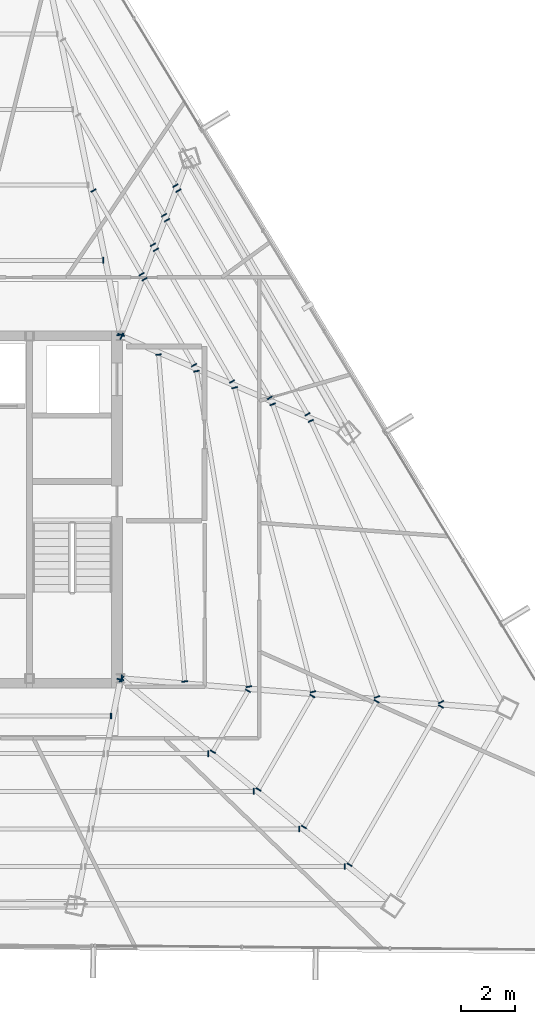
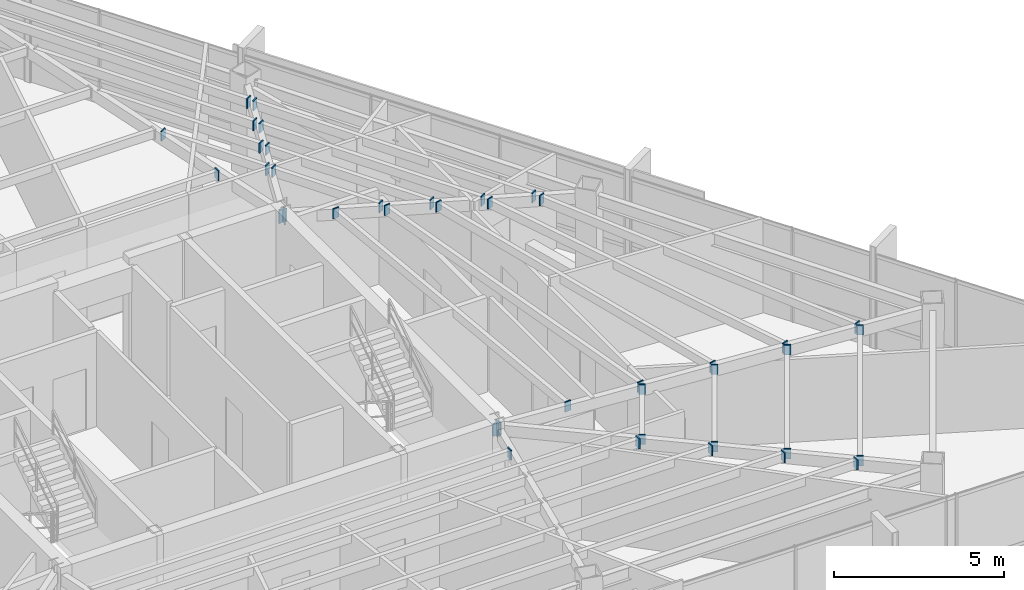
# One storey, part 38 of 45: 43 plates.
"""IFC4 building model written with IfcOpenShell, lengths in metres."""

import ifcopenshell
import ifcopenshell.guid

model = None  # the IFC model being written
_history = None  # IfcOwnerHistory: only IFC2X3 demands one
_inside = {}  # id of a spatial element -> (the spatial element, [elements in it])
_under = {}  # id of a project, library or spatial element -> (it, [spatial elements below it])
_declared = {}  # id of a project -> (the project, [libraries it declares])
_typed = {}  # id of a type object -> (the type object, [elements of that type])
_made_of = {}  # id of a material, layer set ... -> (it, [elements and type objects made of it])


def new_model(schema):
    """Start an empty IFC model of exactly this schema.

    Asked for "IFC4X3", IfcOpenShell would pick the latest addendum, in which some entities
    have other attributes; the version numbers below select the first issue.
    IFC2X3 requires an IfcOwnerHistory on every rooted entity: one is made here for all.
    """
    global model, _history
    if schema == "IFC4X3":
        model = ifcopenshell.file(schema_version=(4, 3, 0, 0))
    else:
        model = ifcopenshell.file(schema=schema)
    _inside.clear()
    _under.clear()
    _declared.clear()
    _typed.clear()
    _made_of.clear()
    _history = None
    if model.schema == "IFC2X3":
        org = make("IfcOrganization", Name="unknown")
        user = make(
            "IfcPersonAndOrganization",
            ThePerson=make("IfcPerson", FamilyName="unknown"),
            TheOrganization=org,
        )
        app = make(
            "IfcApplication",
            ApplicationDeveloper=org,
            Version="unknown",
            ApplicationFullName="unknown",
            ApplicationIdentifier="unknown",
        )
        _history = make(
            "IfcOwnerHistory",
            OwningUser=user,
            OwningApplication=app,
            ChangeAction="ADDED",
            CreationDate=0,
        )
    return model


def make(cls, **values):
    """One entity of the class cls with the attributes given. An attribute that is None is left unset."""
    return model.create_entity(
        cls, **{name: value for name, value in values.items() if value is not None}
    )


def rooted(cls, **values):
    """An entity with a GlobalId (a new one), such as an element, a storey or a relation."""
    return make(cls, GlobalId=ifcopenshell.guid.new(), OwnerHistory=_history, **values)


def si_unit(unit_type, name, prefix=None):
    """IfcSIUnit, for example si_unit("LENGTHUNIT", "METRE", prefix="MILLI")."""
    return make("IfcSIUnit", UnitType=unit_type, Prefix=prefix, Name=name)


def assignment(units):
    """IfcUnitAssignment: the units of a project."""
    return None if units is None else make("IfcUnitAssignment", Units=units)


def point(xyz):
    """IfcCartesianPoint."""
    return None if xyz is None else make("IfcCartesianPoint", Coordinates=xyz)


def direction(xyz):
    """IfcDirection."""
    return None if xyz is None else make("IfcDirection", DirectionRatios=xyz)


def frame(location, z_axis=None, x_axis=None):
    """IfcAxis2Placement3D, a coordinate frame: its origin and axes. An axis left out is left unset."""
    return make(
        "IfcAxis2Placement3D",
        Location=point(location),
        Axis=direction(z_axis),
        RefDirection=direction(x_axis),
    )


def frame_2d(location, x_axis=None):
    """IfcAxis2Placement2D, a coordinate frame in the plane: its origin and x axis."""
    return make(
        "IfcAxis2Placement2D", Location=point(location), RefDirection=direction(x_axis)
    )


def origin():
    """The frame at (0, 0, 0) with its axes left unset."""
    return frame((0.0, 0.0, 0.0))


def origin_2d():
    """The frame at (0, 0) in the plane with its x axis left unset."""
    return frame_2d((0.0, 0.0))


def place(relative_to, where):
    """IfcLocalPlacement: puts the frame where relative to a parent placement (None: the world)."""
    return make(
        "IfcLocalPlacement", PlacementRelTo=relative_to, RelativePlacement=where
    )


def context(
    kind, dimensions, precision=None, world=None, true_north=None, identifier=None
):
    """IfcGeometricRepresentationContext, for example the 3D "Model" context."""
    return make(
        "IfcGeometricRepresentationContext",
        ContextIdentifier=identifier,
        ContextType=kind,
        CoordinateSpaceDimension=dimensions,
        Precision=precision,
        WorldCoordinateSystem=world,
        TrueNorth=true_north,
    )


def subcontext(parent, identifier, kind, view, scale=None):
    """IfcGeometricRepresentationSubContext, for example "Body" below "Model"."""
    return make(
        "IfcGeometricRepresentationSubContext",
        ContextIdentifier=identifier,
        ContextType=kind,
        ParentContext=parent,
        TargetScale=scale,
        TargetView=view,
    )


def project(units=None, contexts=None):
    """IfcProject with its units and contexts."""
    return rooted(
        "IfcProject",
        Name="project",
        RepresentationContexts=contexts,
        UnitsInContext=assignment(units),
    )


def spatial(cls, under=None, at=None, **own):
    """A site, building, storey or space (cls), placed at a placement, below another one or the project."""
    s = rooted(cls, ObjectPlacement=at, **own)
    if under is not None:
        _under.setdefault(under.id(), (under, []))[1].append(s)
    return s


def profile(cls, at=None, kind="AREA", **sizes):
    """A parametric profile (cls). Its sizes go by their IFC names, for example OverallWidth=200.0."""
    return make(cls, ProfileType=kind, Position=at, **sizes)


def rectangle(**sizes):
    """IfcRectangleProfileDef."""
    return profile("IfcRectangleProfileDef", **sizes)


def extrude(swept, where, along, depth):
    """IfcExtrudedAreaSolid: the profile swept, set in the frame where, extruded along a direction by depth."""
    return make(
        "IfcExtrudedAreaSolid",
        SweptArea=swept,
        Position=where,
        ExtrudedDirection=direction(along),
        Depth=depth,
    )


def shape(context_of_items, identifier, shape_type, items):
    """IfcShapeRepresentation: the items that make up one representation, for example the "Body"."""
    return make(
        "IfcShapeRepresentation",
        ContextOfItems=context_of_items,
        RepresentationIdentifier=identifier,
        RepresentationType=shape_type,
        Items=items,
    )


def source(mapping_origin, context_of_items, identifier, shape_type, items):
    """IfcRepresentationMap: a shape defined once, which mapped items show again and again."""
    return make(
        "IfcRepresentationMap",
        MappingOrigin=mapping_origin,
        MappedRepresentation=shape(context_of_items, identifier, shape_type, items),
    )


def transform(
    local_origin,
    x_axis=None,
    y_axis=None,
    z_axis=None,
    scale=None,
    scale2=None,
    scale3=None,
    uniform=True,
):
    """IfcCartesianTransformationOperator3D, or its non-uniform kind. x_axis, y_axis, z_axis: its Axis1, 2, 3."""
    if uniform:
        return make(
            "IfcCartesianTransformationOperator3D",
            Axis1=direction(x_axis),
            Axis2=direction(y_axis),
            LocalOrigin=point(local_origin),
            Scale=scale,
            Axis3=direction(z_axis),
        )
    return make(
        "IfcCartesianTransformationOperator3DnonUniform",
        Axis1=direction(x_axis),
        Axis2=direction(y_axis),
        LocalOrigin=point(local_origin),
        Scale=scale,
        Axis3=direction(z_axis),
        Scale2=scale2,
        Scale3=scale3,
    )


def mapped(mapping_source, mapping_target):
    """IfcMappedItem: shows the shape of a source again, moved by a transform."""
    return make(
        "IfcMappedItem", MappingSource=mapping_source, MappingTarget=mapping_target
    )


def material(Name=None, Category=None):
    """IfcMaterial."""
    return make("IfcMaterial", Name=Name, Category=Category)


def layer(
    of_material, thickness, ventilated=None, Name=None, Category=None, Priority=None
):
    """IfcMaterialLayer: one layer of a wall or slab, of a material (None: an air gap)."""
    return make(
        "IfcMaterialLayer",
        Material=of_material,
        LayerThickness=thickness,
        IsVentilated=ventilated,
        Name=Name,
        Category=Category,
        Priority=Priority,
    )


def layer_set(layers, Name=None):
    """IfcMaterialLayerSet."""
    return make("IfcMaterialLayerSet", MaterialLayers=layers, LayerSetName=Name)


def made_of(thing, what):
    """Note that an element or type object is made of a material, layer set ...; save() writes the relation."""
    if what is not None:
        _made_of.setdefault(what.id(), (what, []))[1].append(thing)
    return thing


def type_object(cls, material=None, **own):
    """A type object (cls), such as IfcWallType, which elements share."""
    return made_of(rooted(cls, **own), material)


def type_shapes(of_type, sources):
    """Give a type object the sources (RepresentationMaps) that its elements show as mapped items."""
    of_type.RepresentationMaps = sources


def element(
    cls,
    number,
    at=None,
    inside=None,
    cuts=None,
    type_object=None,
    material=None,
    context=None,
    identifier="Body",
    shape_type=None,
    held_by="IfcProductDefinitionShape",
    body=None,
    shapes=None,
    **own,
):
    """One element of the class cls, such as IfcWall. Its Tag is "e" and its number.

    at: its placement. inside: the storey or other place that contains it. cuts: it is an
    opening in that element (IfcRelVoidsElement). A single representation is given by context,
    identifier, shape_type and body (its items); several are given by shapes. held_by: the class
    of the entity that holds the representations. save() writes the other relations.
    """
    e = rooted(cls, Tag="e%d" % number, ObjectPlacement=at, **own)
    if body is not None:
        shapes = [shape(context, identifier, shape_type, body)]
    if shapes is not None:
        e.Representation = make(held_by, Representations=shapes)
    if inside is not None:
        _inside.setdefault(inside.id(), (inside, []))[1].append(e)
    if cuts is not None:
        rooted(
            "IfcRelVoidsElement", RelatingBuildingElement=cuts, RelatedOpeningElement=e
        )
    if type_object is not None:
        _typed.setdefault(type_object.id(), (type_object, []))[1].append(e)
    return made_of(e, material)


def aggregate(whole, parts):
    """IfcRelAggregates: a whole, such as a stair, and the parts it consists of."""
    return rooted("IfcRelAggregates", RelatingObject=whole, RelatedObjects=parts)


def save(model, path):
    """Write the relations noted so far, then the file.

    IfcRelAggregates (storeys below a building ...), IfcRelContainedInSpatialStructure (elements
    in a storey), IfcRelDefinesByType, IfcRelAssociatesMaterial and IfcRelDeclares: one each for
    every whole, place, type object, material and project.
    """
    for whole, parts in _under.values():
        aggregate(whole, parts)
    for where, things in _inside.values():
        rooted(
            "IfcRelContainedInSpatialStructure",
            RelatedElements=things,
            RelatingStructure=where,
        )
    for kind, things in _typed.values():
        rooted("IfcRelDefinesByType", RelatedObjects=things, RelatingType=kind)
    for what, things in _made_of.values():
        rooted("IfcRelAssociatesMaterial", RelatedObjects=things, RelatingMaterial=what)
    for by, libraries in _declared.values():
        rooted("IfcRelDeclares", RelatingContext=by, RelatedDefinitions=libraries)
    model.write(path)


model = new_model("IFC4")

# Units and contexts
model_context = context("Model", 3, precision=1e-05, world=origin(), true_north=direction((0.0, 1.0)))
body_context = subcontext(model_context, "Body", "Model", "MODEL_VIEW")
ifc_project = project(units=[si_unit("LENGTHUNIT", "METRE"), si_unit("AREAUNIT", "SQUARE_METRE"), si_unit("VOLUMEUNIT", "CUBIC_METRE"), si_unit("PLANEANGLEUNIT", "RADIAN"), si_unit("MASSUNIT", "GRAM", prefix="KILO")], contexts=[model_context])

# Site, building, storey
site_placement = place(None, origin())
site = spatial("IfcSite", under=ifc_project, at=site_placement, CompositionType="ELEMENT")
building_placement = place(site_placement, origin())
building = spatial("IfcBuilding", under=site, at=building_placement, Name="Caelisora Broadcast Tower", CompositionType="ELEMENT")
storey_placement = place(building_placement, frame((0.0, 0.0, 240.800048828125)))
storey = spatial("IfcBuildingStorey", under=building, at=storey_placement, Name="L63", CompositionType="ELEMENT", Elevation=240.800048828125)

# Plates
ifc_material = material(Name="Steel Grade 350 L15 (AS/NZS 3678)", Category="steel")
ifc_layer = layer(ifc_material, 0.0400390625, Name="Steel Grade 350 L15 (AS/NZS 3678)")
ifc_layer_set = layer_set([ifc_layer], Name="Steel Grade 350 L15 (AS/NZS 3678)")
plate_type = type_object("IfcPlateType", Name="GP04", PredefinedType="USERDEFINED", material=ifc_layer_set)
shared_shape_1 = source(origin(), body_context, "Body", "SweptSolid", [
    extrude(rectangle(XDim=0.260009765625, YDim=0.0400390625, at=origin_2d()), origin(), (0.0, 0.0, 1.0), 0.4599609375),
])
for number, where, z_axis, x_axis, name in (
    (1, (45.4921875, 30.039306640625, 2.969970703125), (0.0, 0.0, 1.0), (-0.980167547112, -0.198170582048, 0.0), "L63 gusset plate GP04 (ND-RAD-L63-01)"),
    (2, (45.4921875, 17.36083984375, 2.969970703125), (0.0, 0.0, 1.0), (0.980853320018, -0.19474795149, 0.0), "L63 gusset plate GP04 (ND-RAD-L63-08)"),
    (3, (45.53076171875, 17.37451171875, 2.969970703125), (0.0, 0.0, 1.0), (0.636885914735, 0.770958060864, 0.0), "L63 gusset plate GP04 (ND-RAD-L63-09)"),
    (4, (45.539794921875, 17.396728515625, 2.969970703125), (0.0, 0.0, 1.0), (0.080720825512, 0.996736749763, 0.0), "L63 gusset plate GP04 (ND-RAD-L63-10)"),
    (5, (45.53662109375, 29.984130859375, 2.969970703125), (0.0, 0.0, 1.0), (0.397948631308, 0.917407699357, 0.0), "L63 gusset plate GP04 (ND-RAD-L63-11)"),
    (6, (45.51416015625, 30.037353515625, 2.969970703125), (0.0, 0.0, 1.0), (-0.934515431196, 0.355922616389, 0.0), "L63 gusset plate GP04 (ND-RAD-L63-12)"),
):
    element("IfcPlate", number, at=place(storey_placement, frame(where, z_axis=z_axis, x_axis=x_axis)), inside=storey, type_object=plate_type, Name=name, ObjectType="GUSSET PLATE", PredefinedType="USERDEFINED", context=body_context, shape_type="MappedRepresentation", body=[
        mapped(shared_shape_1, transform((0.0, 0.0, 0.0), scale=1.0)),
    ])
shared_shape_2 = source(origin(), body_context, "Body", "SweptSolid", [
    extrude(rectangle(XDim=0.2099609375, YDim=0.0400390625, at=origin_2d()), origin(), (0.0, 0.0, 1.0), 0.360107421875),
])
type_shapes(plate_type, [shared_shape_1, shared_shape_2])
for number, where, z_axis, x_axis, name in (
    (7, (44.859619140625, 32.775634765625, 3.06982421875), (0.0, 0.0, 1.0), (0.0, -1.0, 0.0), "L63 gusset plate GP04 (ND-SB-L63-001A)"),
    (8, (45.146240234375, 16.015869140625, 3.06982421875), (0.0, 0.0, 1.0), (0.0, 1.0, 0.0), "L63 gusset plate GP04 (ND-SB-L63-027B)"),
    (9, (48.717041015625, 14.631591796875, 3.06982421875), (0.0, 0.0, 1.0), (0.0, 1.0, 0.0), "L63 gusset plate GP04 (ND-SB-L63-032B)"),
    (10, (50.392333984375, 13.24755859375, 3.06982421875), (0.0, 0.0, 1.0), (0.0, 1.0, 0.0), "L63 gusset plate GP04 (ND-SB-L63-033B)"),
    (11, (52.06787109375, 11.863525390625, 3.06982421875), (0.0, 0.0, 1.0), (0.0, 1.0, 0.0), "L63 gusset plate GP04 (ND-SB-L63-034B)"),
    (12, (53.743408203125, 10.479248046875, 3.06982421875), (0.0, 0.0, 1.0), (0.0, 1.0, 0.0), "L63 gusset plate GP04 (ND-SB-L63-035B)"),
    (13, (48.89013671875, 14.69970703125, 3.06982421875), (0.0, 0.0, 1.0), (-0.866025403784, 0.5, 0.0), "L63 gusset plate GP04 (ND-SB-L63-036A)"),
    (14, (50.184326171875, 16.941162109375, 3.06982421875), (0.0, 0.0, 1.0), (-0.866025403784, 0.5, 0.0), "L63 gusset plate GP04 (ND-SB-L63-036B)"),
    (15, (50.565673828125, 13.3154296875, 3.06982421875), (0.0, 0.0, 1.0), (-0.866025403784, 0.5, 0.0), "L63 gusset plate GP04 (ND-SB-L63-037A)"),
    (16, (52.54833984375, 16.74951171875, 3.06982421875), (0.0, 0.0, 1.0), (-0.866025403784, 0.5, 0.0), "L63 gusset plate GP04 (ND-SB-L63-037B)"),
    (17, (52.2412109375, 11.931396484375, 3.06982421875), (0.0, 0.0, 1.0), (-0.866025403784, 0.5, 0.0), "L63 gusset plate GP04 (ND-SB-L63-038A)"),
    (18, (54.912353515625, 16.55810546875, 3.06982421875), (0.0, 0.0, 1.0), (-0.866025403784, 0.5, 0.0), "L63 gusset plate GP04 (ND-SB-L63-038B)"),
    (19, (53.91650390625, 10.547119140625, 3.06982421875), (0.0, 0.0, 1.0), (-0.866025403784, 0.5, 0.0), "L63 gusset plate GP04 (ND-SB-L63-039A)"),
    (20, (57.276611328125, 16.36669921875, 3.06982421875), (0.0, 0.0, 1.0), (-0.866025403784, 0.5, 0.0), "L63 gusset plate GP04 (ND-SB-L63-039B)"),
    (21, (47.85791015625, 17.28662109375, 3.06982421875), (0.0, 0.0, 1.0), (-0.996820733877, -0.079677001159, 0.0), "L63 gusset plate GP04 (ND-SB-L63-040A)"),
    (22, (46.89599609375, 29.3076171875, 3.06982421875), (0.0, 0.0, 1.0), (-0.996820733877, -0.079677001159, 0.0), "L63 gusset plate GP04 (ND-SB-L63-040B)"),
    (23, (50.215087890625, 17.09619140625, 3.06982421875), (0.0, 0.0, 1.0), (-0.986572161607, -0.163325962242, 0.0), "L63 gusset plate GP04 (ND-SB-L63-041A)"),
    (24, (48.29345703125, 28.700439453125, 3.06982421875), (0.0, 0.0, 1.0), (-0.986572161607, -0.163325962242, 0.0), "L63 gusset plate GP04 (ND-SB-L63-041B)"),
    (25, (52.571533203125, 16.90576171875, 3.06982421875), (0.0, 0.0, 1.0), (-0.968452814643, -0.249197002009, 0.0), "L63 gusset plate GP04 (ND-SB-L63-042A)"),
    (26, (49.6923828125, 28.09228515625, 3.06982421875), (0.0, 0.0, 1.0), (-0.968452814643, -0.249197002009, 0.0), "L63 gusset plate GP04 (ND-SB-L63-042B)"),
    (27, (54.92724609375, 16.7158203125, 3.06982421875), (0.0, 0.0, 1.0), (-0.942057452787, -0.33545156975, 0.0), "L63 gusset plate GP04 (ND-SB-L63-043A)"),
    (28, (51.09375, 27.48291015625, 3.06982421875), (0.0, 0.0, 1.0), (-0.942057452787, -0.33545156975, 0.0), "L63 gusset plate GP04 (ND-SB-L63-043B)"),
    (29, (57.28173828125, 16.52587890625, 3.06982421875), (0.0, 0.0, 1.0), (-0.907704256508, -0.419610513116, 0.0), "L63 gusset plate GP04 (ND-SB-L63-044A)"),
    (30, (52.497802734375, 26.872314453125, 3.06982421875), (0.0, 0.0, 1.0), (-0.907704256508, -0.419610513116, 0.0), "L63 gusset plate GP04 (ND-SB-L63-044B)"),
    (31, (48.205322265625, 28.920654296875, 3.06982421875), (0.0, 0.0, 1.0), (-0.866025403784, -0.5, 0.0), "L63 gusset plate GP04 (ND-SB-L63-045A)"),
    (32, (46.380615234375, 32.081298828125, 3.06982421875), (0.0, 0.0, 1.0), (-0.866025403784, -0.5, 0.0), "L63 gusset plate GP04 (ND-SB-L63-045B)"),
    (33, (49.59423828125, 28.318115234375, 3.06982421875), (0.0, 0.0, 1.0), (-0.866025403784, -0.5, 0.0), "L63 gusset plate GP04 (ND-SB-L63-046A)"),
    (34, (46.794189453125, 33.16796875, 3.06982421875), (0.0, 0.0, 1.0), (-0.866025403784, -0.5, 0.0), "L63 gusset plate GP04 (ND-SB-L63-046B)"),
    (35, (50.983154296875, 27.7158203125, 3.06982421875), (0.0, 0.0, 1.0), (-0.866025403784, -0.5, 0.0), "L63 gusset plate GP04 (ND-SB-L63-047A)"),
    (36, (47.2080078125, 34.25439453125, 3.06982421875), (0.0, 0.0, 1.0), (-0.866025403784, -0.5, 0.0), "L63 gusset plate GP04 (ND-SB-L63-047B)"),
    (37, (52.3720703125, 27.11328125, 3.06982421875), (0.0, 0.0, 1.0), (-0.866025403784, -0.5, 0.0), "L63 gusset plate GP04 (ND-SB-L63-048A)"),
    (38, (47.62158203125, 35.341064453125, 3.06982421875), (0.0, 0.0, 1.0), (-0.866025403784, -0.5, 0.0), "L63 gusset plate GP04 (ND-SB-L63-048B)"),
    (39, (46.2744140625, 32.264892578125, 3.06982421875), (0.0, 0.0, 1.0), (-0.866025403784, -0.5, 0.0), "L63 gusset plate GP04 (ND-SB-L63-049A)"),
    (40, (44.497314453125, 35.34326171875, 3.06982421875), (0.0, 0.0, 1.0), (-0.866025403784, -0.5, 0.0), "L63 gusset plate GP04 (ND-SB-L63-049B)"),
    (41, (46.688232421875, 33.3515625, 3.06982421875), (0.0, 0.0, 1.0), (-0.866025403784, -0.5, 0.0), "L63 gusset plate GP04 (ND-SB-L63-050A)"),
    (42, (47.101806640625, 34.43798828125, 3.06982421875), (0.0, 0.0, 1.0), (-0.866025403784, -0.5, 0.0), "L63 gusset plate GP04 (ND-SB-L63-051A)"),
    (43, (47.515625, 35.524658203125, 3.06982421875), (0.0, 0.0, 1.0), (-0.866025403784, -0.5, 0.0), "L63 gusset plate GP04 (ND-SB-L63-052A)"),
):
    element("IfcPlate", number, at=place(storey_placement, frame(where, z_axis=z_axis, x_axis=x_axis)), inside=storey, type_object=plate_type, Name=name, ObjectType="GUSSET PLATE", PredefinedType="USERDEFINED", context=body_context, shape_type="MappedRepresentation", body=[
        mapped(shared_shape_2, transform((0.0, 0.0, 0.0), scale=1.0)),
    ])

save(model, "model.ifc")
